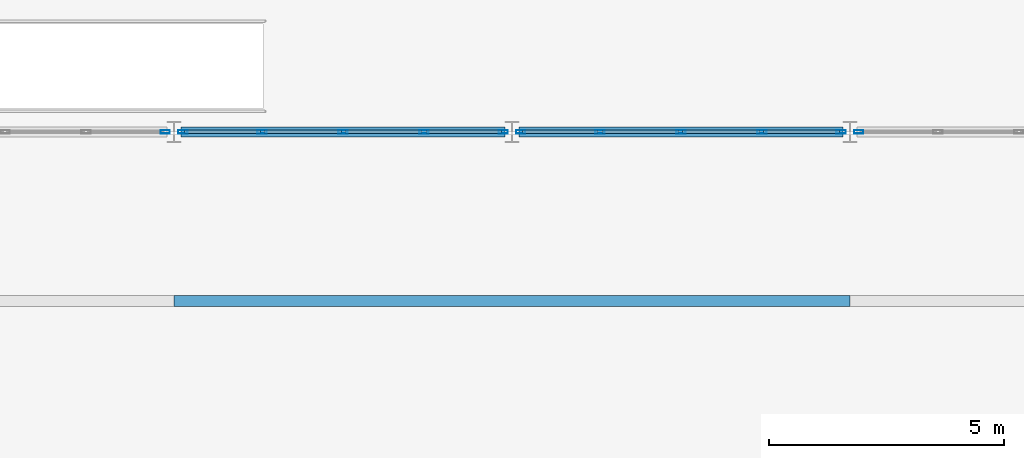
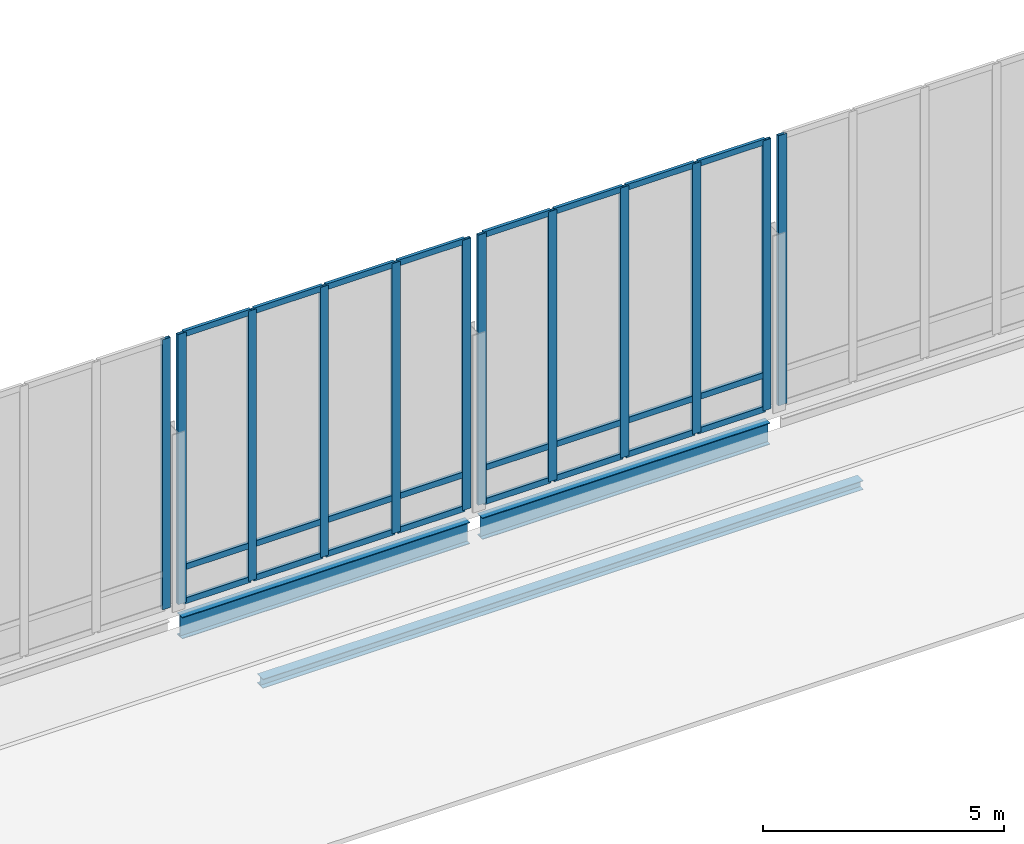
# One storey, part 23 of 110: 36 members, 3 beams, 4 elements without a shape of their own.
"""IFC4 building model written with IfcOpenShell, lengths in metres."""

from ifc_helpers import new_model, si_unit, direction, frame, origin, origin_2d, place, context, subcontext, project, spatial, hollow_rectangle, i_section, extrude, material, material_profile, profile_set, type_object, element, aggregate, save


model = new_model("IFC4")

# Units and contexts
model_context = context("Model", 3, precision=1e-05, world=origin(), true_north=direction((0.0, 1.0)))
body_context = subcontext(model_context, "Body", "Model", "MODEL_VIEW")
ifc_project = project(units=[si_unit("LENGTHUNIT", "METRE"), si_unit("AREAUNIT", "SQUARE_METRE"), si_unit("VOLUMEUNIT", "CUBIC_METRE"), si_unit("PLANEANGLEUNIT", "RADIAN"), si_unit("MASSUNIT", "GRAM", prefix="KILO")], contexts=[model_context])

# Site, building, storey
site_placement = place(None, origin())
site = spatial("IfcSite", under=ifc_project, at=site_placement, CompositionType="ELEMENT")
building_placement = place(site_placement, origin())
building = spatial("IfcBuilding", under=site, at=building_placement, Name="Suanplinth Sawtooth Commons", CompositionType="ELEMENT")
storey_placement = place(building_placement, frame((0.0, 0.0, 4.5)))
storey = spatial("IfcBuildingStorey", under=building, at=storey_placement, Name="L01", CompositionType="ELEMENT", Elevation=4.5)

# Beams
ifc_material_1 = material(Name="Steel S355JR", Category="steel")
ifc_material_profile_1 = material_profile(ifc_material_1, i_section(OverallWidth=0.2099609375, OverallDepth=0.550048828125, WebThickness=0.010986328125, FlangeThickness=0.01708984375, at=origin_2d()), Name="IPE 550")
ifc_profile_set_1 = profile_set([ifc_material_profile_1], Name="Steel S355JR")
beam_type_1 = type_object("IfcBeamType", Name="B-10", PredefinedType="USERDEFINED", material=ifc_profile_set_1)
for number, where, z_axis, x_axis, name in (
    (1, (79.35009765625, 50.39990234375, -0.574951171875), (1.0, 0.0, 0.0), (0.0, 1.0, 0.0), "BMX-L01-HALL-11-7"),
    (2, (86.550048828125, 50.39990234375, -0.574951171875), (1.0, 0.0, 0.0), (0.0, 1.0, 0.0), "BMX-L01-HALL-12-7"),
):
    element("IfcBeam", number, at=place(storey_placement, frame(where, z_axis=z_axis, x_axis=x_axis)), inside=storey, type_object=beam_type_1, Name=name, ObjectType="GIRDER", PredefinedType="USERDEFINED", context=body_context, shape_type="SweptSolid", body=[
        extrude(i_section(OverallWidth=0.2099609375, OverallDepth=0.550048828125, WebThickness=0.010986328125, FlangeThickness=0.01708984375, at=origin_2d()), origin(), (0.0, 0.0, 1.0), 6.89990234375),
    ])
ifc_material_profile_2 = material_profile(ifc_material_1, i_section(OverallWidth=0.239990234375, OverallDepth=0.22998046875, WebThickness=0.007568359375, FlangeThickness=0.011962890625, at=origin_2d()), Name="HEA 240")
ifc_profile_set_2 = profile_set([ifc_material_profile_2], Name="Steel S355JR")
beam_type_2 = type_object("IfcBeamType", Name="B-17", PredefinedType="BEAM", material=ifc_profile_set_2)
beam_placement = place(storey_placement, frame((79.199951171875, 46.800048828125, 0.260009765625), z_axis=(1.0, 0.0, 0.0), x_axis=(0.0, 1.0, 0.0)))
element("IfcBeam", 3, at=beam_placement, inside=storey, type_object=beam_type_2, Name="Metro Portal Ridge Beam 2", PredefinedType="BEAM", context=body_context, shape_type="SweptSolid", body=[
    extrude(i_section(OverallWidth=0.239990234375, OverallDepth=0.22998046875, WebThickness=0.007568359375, FlangeThickness=0.011962890625, at=origin_2d()), origin(), (0.0, 0.0, 1.0), 14.400146484375),
])

# Curtain wall, member
ifc_material_2 = material(Name="Anodized aluminium and low-E glazing", Category="aluminium")
curtain_wall_type = type_object("IfcCurtainWallType", Name="CW-01", PredefinedType="USERDEFINED", material=ifc_material_2)
curtain_wall_1_placement = place(storey_placement, origin())
curtain_wall_1 = element("IfcCurtainWall", 4, at=curtain_wall_1_placement, inside=storey, type_object=curtain_wall_type, Name="Curtain Wall CW-L01-HALL-S-1", ObjectType="CURTAIN WALL", PredefinedType="USERDEFINED")
ifc_material_3 = material(Name="Anodized aluminium 6063-T6", Category="aluminium")
ifc_material_profile_3 = material_profile(ifc_material_3, hollow_rectangle(XDim=0.074951171875, YDim=0.199951171875, WallThickness=0.0048828125, at=origin_2d()), Name="ALU-MUL 75x200")
ifc_profile_set_3 = profile_set([ifc_material_profile_3], Name="Anodized aluminium 6063-T6")
member_type_1 = type_object("IfcMemberType", Name="M-14", PredefinedType="MULLION", material=ifc_profile_set_3)
member_1_placement = place(storey_placement, frame((79.012451171875, 50.39990234375, 0.0), z_axis=(0.0, 0.0, 1.0), x_axis=(0.0, 1.0, 0.0)))
member_1 = element("IfcMember", 5, at=member_1_placement, type_object=member_type_1, Name="CW-01 mullion 5", PredefinedType="MULLION", context=body_context, shape_type="SweptSolid", body=[
    extrude(hollow_rectangle(XDim=0.074951171875, YDim=0.199951171875, WallThickness=0.0048828125, at=origin_2d()), origin(), (0.0, 0.0, 1.0), 6.85009765625),
])
aggregate(curtain_wall_1, [member_1])

# Curtain wall, members
curtain_wall_2_placement = place(storey_placement, origin())
curtain_wall_2 = element("IfcCurtainWall", 6, at=curtain_wall_2_placement, inside=storey, type_object=curtain_wall_type, Name="Curtain Wall CW-L01-HALL-S-2", ObjectType="CURTAIN WALL", PredefinedType="USERDEFINED")
member_2_placement = place(storey_placement, frame((79.387451171875, 50.39990234375, 0.0), z_axis=(0.0, 0.0, 1.0), x_axis=(0.0, 1.0, 0.0)))
member_2 = element("IfcMember", 7, at=member_2_placement, type_object=member_type_1, Name="CW-01 mullion 1", PredefinedType="MULLION", context=body_context, shape_type="SweptSolid", body=[
    extrude(hollow_rectangle(XDim=0.074951171875, YDim=0.199951171875, WallThickness=0.0048828125, at=origin_2d()), origin(), (0.0, 0.0, 1.0), 6.85009765625),
])
member_3_placement = place(storey_placement, frame((81.074951171875, 50.39990234375, 0.0), z_axis=(0.0, 0.0, 1.0), x_axis=(0.0, 1.0, 0.0)))
member_3 = element("IfcMember", 8, at=member_3_placement, type_object=member_type_1, Name="CW-01 mullion 2", PredefinedType="MULLION", context=body_context, shape_type="SweptSolid", body=[
    extrude(hollow_rectangle(XDim=0.074951171875, YDim=0.199951171875, WallThickness=0.0048828125, at=origin_2d()), origin(), (0.0, 0.0, 1.0), 6.85009765625),
])
member_4_placement = place(storey_placement, frame((82.800048828125, 50.39990234375, 0.0), z_axis=(0.0, 0.0, 1.0), x_axis=(0.0, 1.0, 0.0)))
member_4 = element("IfcMember", 9, at=member_4_placement, type_object=member_type_1, Name="CW-01 mullion 3", PredefinedType="MULLION", context=body_context, shape_type="SweptSolid", body=[
    extrude(hollow_rectangle(XDim=0.074951171875, YDim=0.199951171875, WallThickness=0.0048828125, at=origin_2d()), origin(), (0.0, 0.0, 1.0), 6.85009765625),
])
member_5_placement = place(storey_placement, frame((84.52490234375, 50.39990234375, 0.0), z_axis=(0.0, 0.0, 1.0), x_axis=(0.0, 1.0, 0.0)))
member_5 = element("IfcMember", 10, at=member_5_placement, type_object=member_type_1, Name="CW-01 mullion 4", PredefinedType="MULLION", context=body_context, shape_type="SweptSolid", body=[
    extrude(hollow_rectangle(XDim=0.074951171875, YDim=0.199951171875, WallThickness=0.0048828125, at=origin_2d()), origin(), (0.0, 0.0, 1.0), 6.85009765625),
])
member_6_placement = place(storey_placement, frame((86.21240234375, 50.39990234375, 0.0), z_axis=(0.0, 0.0, 1.0), x_axis=(0.0, 1.0, 0.0)))
member_6 = element("IfcMember", 11, at=member_6_placement, type_object=member_type_1, Name="CW-01 mullion 5", PredefinedType="MULLION", context=body_context, shape_type="SweptSolid", body=[
    extrude(hollow_rectangle(XDim=0.074951171875, YDim=0.199951171875, WallThickness=0.0048828125, at=origin_2d()), origin(), (0.0, 0.0, 1.0), 6.85009765625),
])

curtain_wall_3_placement = place(storey_placement, origin())
curtain_wall_3 = element("IfcCurtainWall", 12, at=curtain_wall_3_placement, inside=storey, type_object=curtain_wall_type, Name="Curtain Wall CW-L01-HALL-S-3", ObjectType="CURTAIN WALL", PredefinedType="USERDEFINED")
member_7_placement = place(storey_placement, frame((86.58740234375, 50.39990234375, 0.0), z_axis=(0.0, 0.0, 1.0), x_axis=(0.0, 1.0, 0.0)))
member_7 = element("IfcMember", 13, at=member_7_placement, type_object=member_type_1, Name="CW-01 mullion 1", PredefinedType="MULLION", context=body_context, shape_type="SweptSolid", body=[
    extrude(hollow_rectangle(XDim=0.074951171875, YDim=0.199951171875, WallThickness=0.0048828125, at=origin_2d()), origin(), (0.0, 0.0, 1.0), 6.85009765625),
])
member_8_placement = place(storey_placement, frame((88.27490234375, 50.39990234375, 0.0), z_axis=(0.0, 0.0, 1.0), x_axis=(0.0, 1.0, 0.0)))
member_8 = element("IfcMember", 14, at=member_8_placement, type_object=member_type_1, Name="CW-01 mullion 2", PredefinedType="MULLION", context=body_context, shape_type="SweptSolid", body=[
    extrude(hollow_rectangle(XDim=0.074951171875, YDim=0.199951171875, WallThickness=0.0048828125, at=origin_2d()), origin(), (0.0, 0.0, 1.0), 6.85009765625),
])
member_9_placement = place(storey_placement, frame((90.0, 50.39990234375, 0.0), z_axis=(0.0, 0.0, 1.0), x_axis=(0.0, 1.0, 0.0)))
member_9 = element("IfcMember", 15, at=member_9_placement, type_object=member_type_1, Name="CW-01 mullion 3", PredefinedType="MULLION", context=body_context, shape_type="SweptSolid", body=[
    extrude(hollow_rectangle(XDim=0.074951171875, YDim=0.199951171875, WallThickness=0.0048828125, at=origin_2d()), origin(), (0.0, 0.0, 1.0), 6.85009765625),
])
member_10_placement = place(storey_placement, frame((91.72509765625, 50.39990234375, 0.0), z_axis=(0.0, 0.0, 1.0), x_axis=(0.0, 1.0, 0.0)))
member_10 = element("IfcMember", 16, at=member_10_placement, type_object=member_type_1, Name="CW-01 mullion 4", PredefinedType="MULLION", context=body_context, shape_type="SweptSolid", body=[
    extrude(hollow_rectangle(XDim=0.074951171875, YDim=0.199951171875, WallThickness=0.0048828125, at=origin_2d()), origin(), (0.0, 0.0, 1.0), 6.85009765625),
])
member_11_placement = place(storey_placement, frame((93.41259765625, 50.39990234375, 0.0), z_axis=(0.0, 0.0, 1.0), x_axis=(0.0, 1.0, 0.0)))
member_11 = element("IfcMember", 17, at=member_11_placement, type_object=member_type_1, Name="CW-01 mullion 5", PredefinedType="MULLION", context=body_context, shape_type="SweptSolid", body=[
    extrude(hollow_rectangle(XDim=0.074951171875, YDim=0.199951171875, WallThickness=0.0048828125, at=origin_2d()), origin(), (0.0, 0.0, 1.0), 6.85009765625),
])

# Curtain wall, member
curtain_wall_4_placement = place(storey_placement, origin())
curtain_wall_4 = element("IfcCurtainWall", 18, at=curtain_wall_4_placement, inside=storey, type_object=curtain_wall_type, Name="Curtain Wall CW-L01-HALL-S-4", ObjectType="CURTAIN WALL", PredefinedType="USERDEFINED")
member_12_placement = place(storey_placement, frame((93.78759765625, 50.39990234375, 0.0), z_axis=(0.0, 0.0, 1.0), x_axis=(0.0, 1.0, 0.0)))
member_12 = element("IfcMember", 19, at=member_12_placement, type_object=member_type_1, Name="CW-01 mullion 1", PredefinedType="MULLION", context=body_context, shape_type="SweptSolid", body=[
    extrude(hollow_rectangle(XDim=0.074951171875, YDim=0.199951171875, WallThickness=0.0048828125, at=origin_2d()), origin(), (0.0, 0.0, 1.0), 6.85009765625),
])
aggregate(curtain_wall_4, [member_12])

# Member
ifc_material_profile_4 = material_profile(ifc_material_3, hollow_rectangle(XDim=0.074951171875, YDim=0.14990234375, WallThickness=0.00439453125, at=origin_2d()), Name="ALU-TRN 75x150")
ifc_profile_set_4 = profile_set([ifc_material_profile_4], Name="Anodized aluminium 6063-T6")
member_type_2 = type_object("IfcMemberType", Name="M-16", PredefinedType="USERDEFINED", material=ifc_profile_set_4)
member_13_placement = place(storey_placement, frame((79.425048828125, 50.39990234375, 0.03759765625), z_axis=(1.0, 0.0, 0.0), x_axis=(0.0, 1.0, 0.0)))
member_13 = element("IfcMember", 20, at=member_13_placement, type_object=member_type_2, Name="CW-01 transom 1.1", ObjectType="TRANSOM", PredefinedType="USERDEFINED", context=body_context, shape_type="SweptSolid", body=[
    extrude(hollow_rectangle(XDim=0.074951171875, YDim=0.14990234375, WallThickness=0.00439453125, at=origin_2d()), origin(), (0.0, 0.0, 1.0), 1.612548828125),
])

member_14_placement = place(storey_placement, frame((79.425048828125, 50.39990234375, 0.89990234375), z_axis=(1.0, 0.0, 0.0), x_axis=(0.0, 1.0, 0.0)))
member_14 = element("IfcMember", 21, at=member_14_placement, type_object=member_type_2, Name="CW-01 transom 1.2", ObjectType="TRANSOM", PredefinedType="USERDEFINED", context=body_context, shape_type="SweptSolid", body=[
    extrude(hollow_rectangle(XDim=0.074951171875, YDim=0.14990234375, WallThickness=0.00439453125, at=origin_2d()), origin(), (0.0, 0.0, 1.0), 1.612548828125),
])

member_15_placement = place(storey_placement, frame((79.425048828125, 50.39990234375, 6.8125), z_axis=(1.0, 0.0, 0.0), x_axis=(0.0, 1.0, 0.0)))
member_15 = element("IfcMember", 22, at=member_15_placement, type_object=member_type_2, Name="CW-01 transom 1.3", ObjectType="TRANSOM", PredefinedType="USERDEFINED", context=body_context, shape_type="SweptSolid", body=[
    extrude(hollow_rectangle(XDim=0.074951171875, YDim=0.14990234375, WallThickness=0.00439453125, at=origin_2d()), origin(), (0.0, 0.0, 1.0), 1.612548828125),
])

member_16_placement = place(storey_placement, frame((81.112548828125, 50.39990234375, 0.03759765625), z_axis=(1.0, 0.0, 0.0), x_axis=(0.0, 1.0, 0.0)))
member_16 = element("IfcMember", 23, at=member_16_placement, type_object=member_type_2, Name="CW-01 transom 2.1", ObjectType="TRANSOM", PredefinedType="USERDEFINED", context=body_context, shape_type="SweptSolid", body=[
    extrude(hollow_rectangle(XDim=0.074951171875, YDim=0.14990234375, WallThickness=0.00439453125, at=origin_2d()), origin(), (0.0, 0.0, 1.0), 1.64990234375),
])

member_17_placement = place(storey_placement, frame((81.112548828125, 50.39990234375, 0.89990234375), z_axis=(1.0, 0.0, 0.0), x_axis=(0.0, 1.0, 0.0)))
member_17 = element("IfcMember", 24, at=member_17_placement, type_object=member_type_2, Name="CW-01 transom 2.2", ObjectType="TRANSOM", PredefinedType="USERDEFINED", context=body_context, shape_type="SweptSolid", body=[
    extrude(hollow_rectangle(XDim=0.074951171875, YDim=0.14990234375, WallThickness=0.00439453125, at=origin_2d()), origin(), (0.0, 0.0, 1.0), 1.64990234375),
])

member_18_placement = place(storey_placement, frame((81.112548828125, 50.39990234375, 6.8125), z_axis=(1.0, 0.0, 0.0), x_axis=(0.0, 1.0, 0.0)))
member_18 = element("IfcMember", 25, at=member_18_placement, type_object=member_type_2, Name="CW-01 transom 2.3", ObjectType="TRANSOM", PredefinedType="USERDEFINED", context=body_context, shape_type="SweptSolid", body=[
    extrude(hollow_rectangle(XDim=0.074951171875, YDim=0.14990234375, WallThickness=0.00439453125, at=origin_2d()), origin(), (0.0, 0.0, 1.0), 1.64990234375),
])

member_19_placement = place(storey_placement, frame((82.83740234375, 50.39990234375, 0.03759765625), z_axis=(1.0, 0.0, 0.0), x_axis=(0.0, 1.0, 0.0)))
member_19 = element("IfcMember", 26, at=member_19_placement, type_object=member_type_2, Name="CW-01 transom 3.1", ObjectType="TRANSOM", PredefinedType="USERDEFINED", context=body_context, shape_type="SweptSolid", body=[
    extrude(hollow_rectangle(XDim=0.074951171875, YDim=0.14990234375, WallThickness=0.00439453125, at=origin_2d()), origin(), (0.0, 0.0, 1.0), 1.650146484375),
])

member_20_placement = place(storey_placement, frame((82.83740234375, 50.39990234375, 0.89990234375), z_axis=(1.0, 0.0, 0.0), x_axis=(0.0, 1.0, 0.0)))
member_20 = element("IfcMember", 27, at=member_20_placement, type_object=member_type_2, Name="CW-01 transom 3.2", ObjectType="TRANSOM", PredefinedType="USERDEFINED", context=body_context, shape_type="SweptSolid", body=[
    extrude(hollow_rectangle(XDim=0.074951171875, YDim=0.14990234375, WallThickness=0.00439453125, at=origin_2d()), origin(), (0.0, 0.0, 1.0), 1.650146484375),
])

member_21_placement = place(storey_placement, frame((82.83740234375, 50.39990234375, 6.8125), z_axis=(1.0, 0.0, 0.0), x_axis=(0.0, 1.0, 0.0)))
member_21 = element("IfcMember", 28, at=member_21_placement, type_object=member_type_2, Name="CW-01 transom 3.3", ObjectType="TRANSOM", PredefinedType="USERDEFINED", context=body_context, shape_type="SweptSolid", body=[
    extrude(hollow_rectangle(XDim=0.074951171875, YDim=0.14990234375, WallThickness=0.00439453125, at=origin_2d()), origin(), (0.0, 0.0, 1.0), 1.650146484375),
])

member_22_placement = place(storey_placement, frame((84.5625, 50.39990234375, 0.03759765625), z_axis=(1.0, 0.0, 0.0), x_axis=(0.0, 1.0, 0.0)))
member_22 = element("IfcMember", 29, at=member_22_placement, type_object=member_type_2, Name="CW-01 transom 4.1", ObjectType="TRANSOM", PredefinedType="USERDEFINED", context=body_context, shape_type="SweptSolid", body=[
    extrude(hollow_rectangle(XDim=0.074951171875, YDim=0.14990234375, WallThickness=0.00439453125, at=origin_2d()), origin(), (0.0, 0.0, 1.0), 1.612548828125),
])

member_23_placement = place(storey_placement, frame((84.5625, 50.39990234375, 0.89990234375), z_axis=(1.0, 0.0, 0.0), x_axis=(0.0, 1.0, 0.0)))
member_23 = element("IfcMember", 30, at=member_23_placement, type_object=member_type_2, Name="CW-01 transom 4.2", ObjectType="TRANSOM", PredefinedType="USERDEFINED", context=body_context, shape_type="SweptSolid", body=[
    extrude(hollow_rectangle(XDim=0.074951171875, YDim=0.14990234375, WallThickness=0.00439453125, at=origin_2d()), origin(), (0.0, 0.0, 1.0), 1.612548828125),
])

member_24_placement = place(storey_placement, frame((84.5625, 50.39990234375, 6.8125), z_axis=(1.0, 0.0, 0.0), x_axis=(0.0, 1.0, 0.0)))
member_24 = element("IfcMember", 31, at=member_24_placement, type_object=member_type_2, Name="CW-01 transom 4.3", ObjectType="TRANSOM", PredefinedType="USERDEFINED", context=body_context, shape_type="SweptSolid", body=[
    extrude(hollow_rectangle(XDim=0.074951171875, YDim=0.14990234375, WallThickness=0.00439453125, at=origin_2d()), origin(), (0.0, 0.0, 1.0), 1.612548828125),
])

aggregate(curtain_wall_2, [member_2, member_3, member_4, member_5, member_6, member_13, member_14, member_15, member_16, member_17, member_18, member_19, member_20, member_21, member_22, member_23, member_24])

member_25_placement = place(storey_placement, frame((86.625, 50.39990234375, 0.03759765625), z_axis=(1.0, 0.0, 0.0), x_axis=(0.0, 1.0, 0.0)))
member_25 = element("IfcMember", 32, at=member_25_placement, type_object=member_type_2, Name="CW-01 transom 1.1", ObjectType="TRANSOM", PredefinedType="USERDEFINED", context=body_context, shape_type="SweptSolid", body=[
    extrude(hollow_rectangle(XDim=0.074951171875, YDim=0.14990234375, WallThickness=0.00439453125, at=origin_2d()), origin(), (0.0, 0.0, 1.0), 1.612548828125),
])

member_26_placement = place(storey_placement, frame((86.625, 50.39990234375, 0.89990234375), z_axis=(1.0, 0.0, 0.0), x_axis=(0.0, 1.0, 0.0)))
member_26 = element("IfcMember", 33, at=member_26_placement, type_object=member_type_2, Name="CW-01 transom 1.2", ObjectType="TRANSOM", PredefinedType="USERDEFINED", context=body_context, shape_type="SweptSolid", body=[
    extrude(hollow_rectangle(XDim=0.074951171875, YDim=0.14990234375, WallThickness=0.00439453125, at=origin_2d()), origin(), (0.0, 0.0, 1.0), 1.612548828125),
])

member_27_placement = place(storey_placement, frame((86.625, 50.39990234375, 6.8125), z_axis=(1.0, 0.0, 0.0), x_axis=(0.0, 1.0, 0.0)))
member_27 = element("IfcMember", 34, at=member_27_placement, type_object=member_type_2, Name="CW-01 transom 1.3", ObjectType="TRANSOM", PredefinedType="USERDEFINED", context=body_context, shape_type="SweptSolid", body=[
    extrude(hollow_rectangle(XDim=0.074951171875, YDim=0.14990234375, WallThickness=0.00439453125, at=origin_2d()), origin(), (0.0, 0.0, 1.0), 1.612548828125),
])

member_28_placement = place(storey_placement, frame((88.3125, 50.39990234375, 0.03759765625), z_axis=(1.0, 0.0, 0.0), x_axis=(0.0, 1.0, 0.0)))
member_28 = element("IfcMember", 35, at=member_28_placement, type_object=member_type_2, Name="CW-01 transom 2.1", ObjectType="TRANSOM", PredefinedType="USERDEFINED", context=body_context, shape_type="SweptSolid", body=[
    extrude(hollow_rectangle(XDim=0.074951171875, YDim=0.14990234375, WallThickness=0.00439453125, at=origin_2d()), origin(), (0.0, 0.0, 1.0), 1.64990234375),
])

member_29_placement = place(storey_placement, frame((88.3125, 50.39990234375, 0.89990234375), z_axis=(1.0, 0.0, 0.0), x_axis=(0.0, 1.0, 0.0)))
member_29 = element("IfcMember", 36, at=member_29_placement, type_object=member_type_2, Name="CW-01 transom 2.2", ObjectType="TRANSOM", PredefinedType="USERDEFINED", context=body_context, shape_type="SweptSolid", body=[
    extrude(hollow_rectangle(XDim=0.074951171875, YDim=0.14990234375, WallThickness=0.00439453125, at=origin_2d()), origin(), (0.0, 0.0, 1.0), 1.64990234375),
])

member_30_placement = place(storey_placement, frame((88.3125, 50.39990234375, 6.8125), z_axis=(1.0, 0.0, 0.0), x_axis=(0.0, 1.0, 0.0)))
member_30 = element("IfcMember", 37, at=member_30_placement, type_object=member_type_2, Name="CW-01 transom 2.3", ObjectType="TRANSOM", PredefinedType="USERDEFINED", context=body_context, shape_type="SweptSolid", body=[
    extrude(hollow_rectangle(XDim=0.074951171875, YDim=0.14990234375, WallThickness=0.00439453125, at=origin_2d()), origin(), (0.0, 0.0, 1.0), 1.64990234375),
])

member_31_placement = place(storey_placement, frame((90.03759765625, 50.39990234375, 0.03759765625), z_axis=(1.0, 0.0, 0.0), x_axis=(0.0, 1.0, 0.0)))
member_31 = element("IfcMember", 38, at=member_31_placement, type_object=member_type_2, Name="CW-01 transom 3.1", ObjectType="TRANSOM", PredefinedType="USERDEFINED", context=body_context, shape_type="SweptSolid", body=[
    extrude(hollow_rectangle(XDim=0.074951171875, YDim=0.14990234375, WallThickness=0.00439453125, at=origin_2d()), origin(), (0.0, 0.0, 1.0), 1.64990234375),
])

member_32_placement = place(storey_placement, frame((90.03759765625, 50.39990234375, 0.89990234375), z_axis=(1.0, 0.0, 0.0), x_axis=(0.0, 1.0, 0.0)))
member_32 = element("IfcMember", 39, at=member_32_placement, type_object=member_type_2, Name="CW-01 transom 3.2", ObjectType="TRANSOM", PredefinedType="USERDEFINED", context=body_context, shape_type="SweptSolid", body=[
    extrude(hollow_rectangle(XDim=0.074951171875, YDim=0.14990234375, WallThickness=0.00439453125, at=origin_2d()), origin(), (0.0, 0.0, 1.0), 1.64990234375),
])

member_33_placement = place(storey_placement, frame((90.03759765625, 50.39990234375, 6.8125), z_axis=(1.0, 0.0, 0.0), x_axis=(0.0, 1.0, 0.0)))
member_33 = element("IfcMember", 40, at=member_33_placement, type_object=member_type_2, Name="CW-01 transom 3.3", ObjectType="TRANSOM", PredefinedType="USERDEFINED", context=body_context, shape_type="SweptSolid", body=[
    extrude(hollow_rectangle(XDim=0.074951171875, YDim=0.14990234375, WallThickness=0.00439453125, at=origin_2d()), origin(), (0.0, 0.0, 1.0), 1.64990234375),
])

member_34_placement = place(storey_placement, frame((91.762451171875, 50.39990234375, 0.03759765625), z_axis=(1.0, 0.0, 0.0), x_axis=(0.0, 1.0, 0.0)))
member_34 = element("IfcMember", 41, at=member_34_placement, type_object=member_type_2, Name="CW-01 transom 4.1", ObjectType="TRANSOM", PredefinedType="USERDEFINED", context=body_context, shape_type="SweptSolid", body=[
    extrude(hollow_rectangle(XDim=0.074951171875, YDim=0.14990234375, WallThickness=0.00439453125, at=origin_2d()), origin(), (0.0, 0.0, 1.0), 1.612548828125),
])

member_35_placement = place(storey_placement, frame((91.762451171875, 50.39990234375, 0.89990234375), z_axis=(1.0, 0.0, 0.0), x_axis=(0.0, 1.0, 0.0)))
member_35 = element("IfcMember", 42, at=member_35_placement, type_object=member_type_2, Name="CW-01 transom 4.2", ObjectType="TRANSOM", PredefinedType="USERDEFINED", context=body_context, shape_type="SweptSolid", body=[
    extrude(hollow_rectangle(XDim=0.074951171875, YDim=0.14990234375, WallThickness=0.00439453125, at=origin_2d()), origin(), (0.0, 0.0, 1.0), 1.612548828125),
])

member_36_placement = place(storey_placement, frame((91.762451171875, 50.39990234375, 6.8125), z_axis=(1.0, 0.0, 0.0), x_axis=(0.0, 1.0, 0.0)))
member_36 = element("IfcMember", 43, at=member_36_placement, type_object=member_type_2, Name="CW-01 transom 4.3", ObjectType="TRANSOM", PredefinedType="USERDEFINED", context=body_context, shape_type="SweptSolid", body=[
    extrude(hollow_rectangle(XDim=0.074951171875, YDim=0.14990234375, WallThickness=0.00439453125, at=origin_2d()), origin(), (0.0, 0.0, 1.0), 1.612548828125),
])

aggregate(curtain_wall_3, [member_7, member_8, member_9, member_10, member_11, member_25, member_26, member_27, member_28, member_29, member_30, member_31, member_32, member_33, member_34, member_35, member_36])

save(model, "model.ifc")
